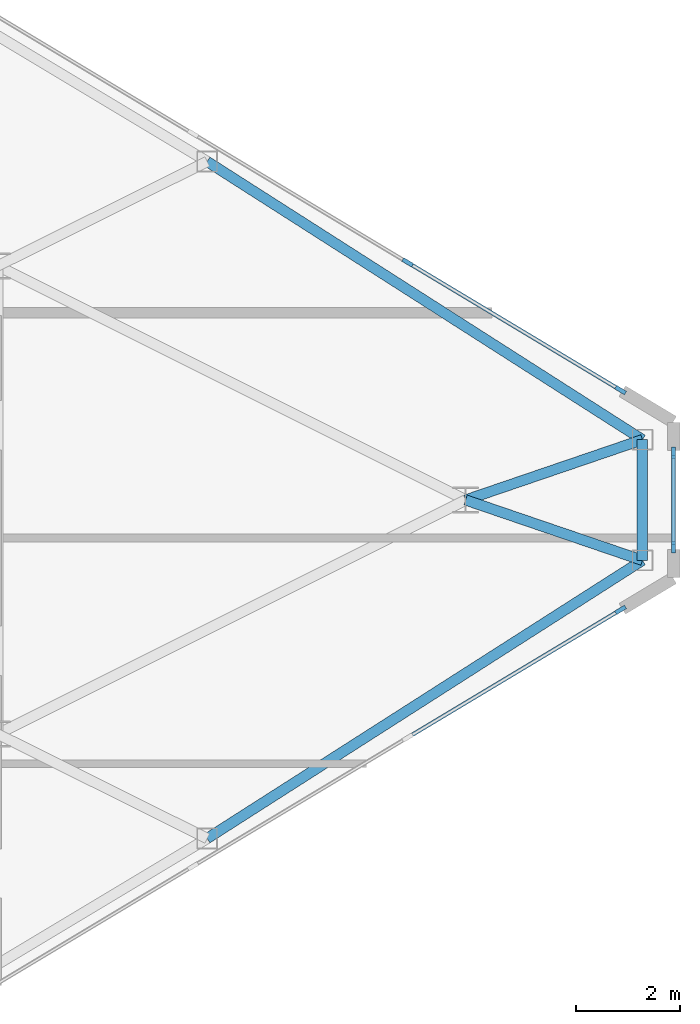
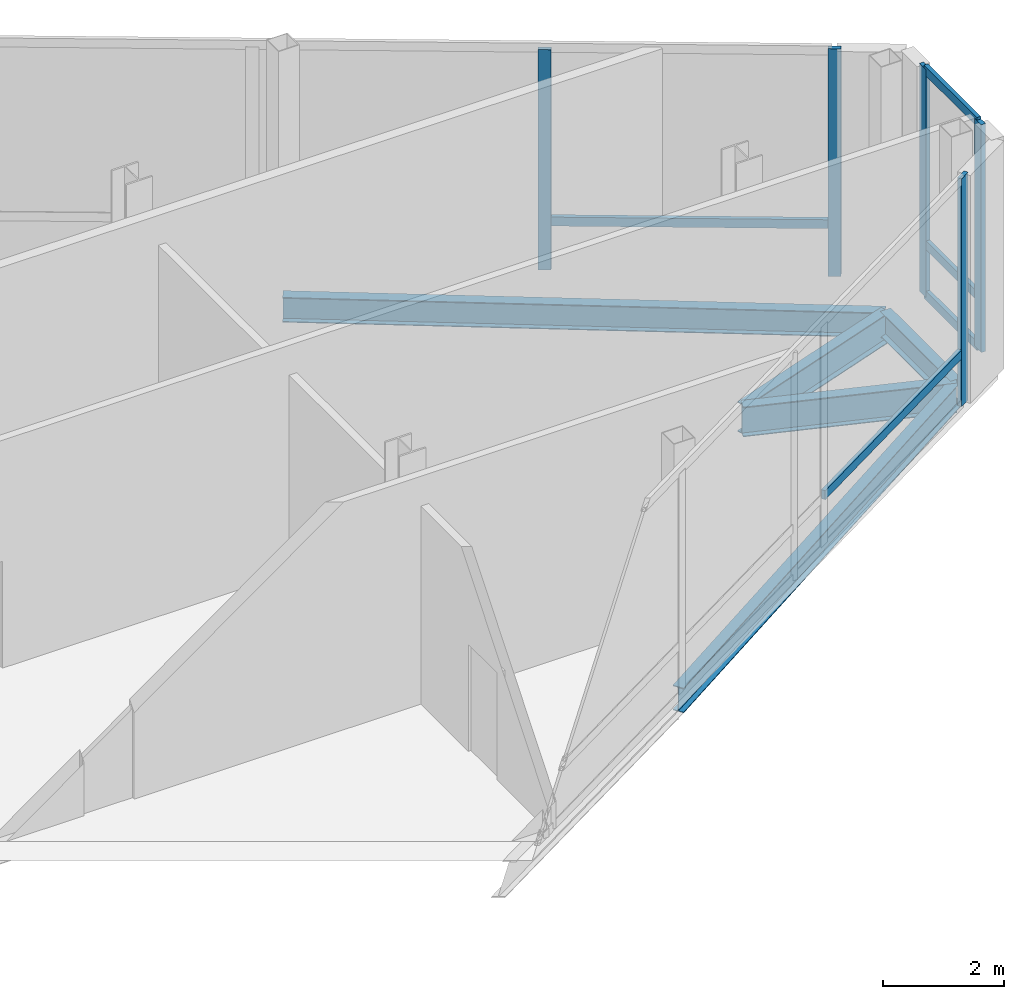
# One storey, part 18 of 30: 10 members, 5 beams, 3 elements without a shape of their own.
"""IFC4 building model written with IfcOpenShell, lengths in metres."""

from ifc_helpers import new_model, si_unit, direction, frame, origin, origin_2d, place, context, subcontext, project, spatial, rectangle, i_section, extrude, source, transform, mapped, material, layer, layer_set, material_profile, profile_set, type_object, type_shapes, element, aggregate, save


model = new_model("IFC4")

# Units and contexts
model_context = context("Model", 3, precision=1e-05, world=origin(), true_north=direction((0.0, 1.0)))
body_context = subcontext(model_context, "Body", "Model", "MODEL_VIEW")
ifc_project = project(units=[si_unit("LENGTHUNIT", "METRE"), si_unit("AREAUNIT", "SQUARE_METRE"), si_unit("VOLUMEUNIT", "CUBIC_METRE"), si_unit("PLANEANGLEUNIT", "RADIAN"), si_unit("MASSUNIT", "GRAM", prefix="KILO")], contexts=[model_context])

# Site, building, storey
site_placement = place(None, origin())
site = spatial("IfcSite", under=ifc_project, at=site_placement, CompositionType="ELEMENT")
building_placement = place(site_placement, origin())
building = spatial("IfcBuilding", under=site, at=building_placement, Name="Seokmaru Belvedere", CompositionType="ELEMENT")
storey_placement = place(building_placement, frame((0.0, 0.0, 234.60009765625)))
storey = spatial("IfcBuildingStorey", under=building, at=storey_placement, Name="L62", CompositionType="ELEMENT", Elevation=234.60009765625)

# Beams
ifc_material_1 = material(Name="Steel SM355 (355 MPa)", Category="steel")
ifc_material_profile_1 = material_profile(ifc_material_1, i_section(OverallWidth=0.199951171875, OverallDepth=0.5, WebThickness=0.010009765625, FlangeThickness=0.01611328125, at=origin_2d()), Name="H-500x200x10x16")
ifc_profile_set_1 = profile_set([ifc_material_profile_1], Name="Steel SM355 (355 MPa)")
beam_type_1 = type_object("IfcBeamType", Name="Perimeter Spandrel Beam H-500", PredefinedType="SPANDREL", material=ifc_profile_set_1)
shared_shape_1 = source(origin(), body_context, "Body", "SweptSolid", [
    extrude(i_section(OverallWidth=0.199951171875, OverallDepth=0.5, WebThickness=0.010009765625, FlangeThickness=0.01611328125, at=origin_2d()), origin(), (0.0, 0.0, 1.0), 9.932861328125),
])
for number, where, z_axis, x_axis, name in (
    (1, (58.530029296875, -6.5087890625, -0.510009765625), (0.842651960357, 0.538458609093, 0.0), (-0.538458609093, 0.842651960357, 0.0), "L62 E Faceted Flank Spandrel S-4"),
    (2, (58.530029296875, 6.5087890625, -0.510009765625), (0.842651960357, -0.538458609093, 0.0), (0.538458609093, 0.842651960357, 0.0), "L62 E Faceted Flank Spandrel N-4"),
):
    element("IfcBeam", number, at=place(storey_placement, frame(where, z_axis=z_axis, x_axis=x_axis)), inside=storey, type_object=beam_type_1, Name=name, PredefinedType="SPANDREL", context=body_context, shape_type="MappedRepresentation", body=[
        mapped(shared_shape_1, transform((0.0, 0.0, 0.0), scale=1.0)),
    ])
shared_shape_2 = source(origin(), body_context, "Body", "SweptSolid", [
    extrude(i_section(OverallWidth=0.199951171875, OverallDepth=0.5, WebThickness=0.010009765625, FlangeThickness=0.01611328125, at=origin_2d()), origin(), (0.0, 0.0, 1.0), 2.32080078125),
])
type_shapes(beam_type_1, [shared_shape_1, shared_shape_2])
beam_placement = place(storey_placement, frame((66.89990234375, -1.160400390625, -0.510009765625), z_axis=(0.0, 1.0, 0.0), x_axis=(-1.0, 0.0, 0.0)))
element("IfcBeam", 3, at=beam_placement, inside=storey, type_object=beam_type_1, Name="L62 E Faceted Apex Spandrel", PredefinedType="SPANDREL", context=body_context, shape_type="MappedRepresentation", body=[
    mapped(shared_shape_2, transform((0.0, 0.0, 0.0), scale=1.0)),
])
ifc_material_profile_2 = material_profile(ifc_material_1, i_section(OverallWidth=0.199951171875, OverallDepth=0.60009765625, WebThickness=0.010986328125, FlangeThickness=0.01708984375, at=origin_2d()), Name="H-600x200x11x17")
ifc_profile_set_2 = profile_set([ifc_material_profile_2], Name="Steel SM355 (355 MPa)")
beam_type_2 = type_object("IfcBeamType", Name="Primary Floor Girder H-600", PredefinedType="BEAM", material=ifc_profile_set_2)
shared_shape_3 = source(origin(), body_context, "Body", "SweptSolid", [
    extrude(i_section(OverallWidth=0.199951171875, OverallDepth=0.60009765625, WebThickness=0.010986328125, FlangeThickness=0.01708984375, at=origin_2d()), origin(), (0.0, 0.0, 1.0), 3.592529296875),
])
type_shapes(beam_type_2, [shared_shape_3])
for number, where, z_axis, x_axis, name in (
    (4, (66.89990234375, -1.160400390625, -0.56005859375), (-0.946395973048, 0.323008764893, 0.0), (-0.323008764893, -0.946395973048, 0.0), "L62 E Apex Radial Floor Girder 1"),
    (5, (66.89990234375, 1.160400390625, -0.56005859375), (-0.946395973048, -0.323008764893, 0.0), (0.323008764893, -0.946395973048, 0.0), "L62 E Apex Radial Floor Girder 2"),
):
    element("IfcBeam", number, at=place(storey_placement, frame(where, z_axis=z_axis, x_axis=x_axis)), inside=storey, type_object=beam_type_2, Name=name, PredefinedType="BEAM", context=body_context, shape_type="MappedRepresentation", body=[
        mapped(shared_shape_3, transform((0.0, 0.0, 0.0), scale=1.0)),
    ])

# Curtain wall, member
ifc_material_2 = material(Name="Bronze Triple Insulating Glass", Category="glass")
ifc_layer = layer(ifc_material_2, 0.219970703125)
ifc_layer_set = layer_set([ifc_layer], Name="Bronze Triple Insulating Glass")
curtain_wall_type = type_object("IfcCurtainWallType", Name="Sky-Gate Bridge Panorama Curtain Wall System CW-6", PredefinedType="NOTDEFINED", material=ifc_layer_set)
curtain_wall_1_placement = place(storey_placement, origin())
curtain_wall_1 = element("IfcCurtainWall", 6, at=curtain_wall_1_placement, inside=storey, type_object=curtain_wall_type, Name="L62 Curtain Wall EF1", PredefinedType="NOTDEFINED")
ifc_material_3 = material(Name="Anodised Bronze Aluminium", Category="aluminium")
ifc_material_profile_3 = material_profile(ifc_material_3, rectangle(XDim=0.074951171875, YDim=0.179931640625, at=origin_2d()), Name="CW-T-75x180")
ifc_profile_set_3 = profile_set([ifc_material_profile_3], Name="Anodised Bronze Aluminium")
member_type_1 = type_object("IfcMemberType", Name="Bronze Unitised Transom 75x180", PredefinedType="USERDEFINED", material=ifc_profile_set_3)
shared_shape_4 = source(origin(), body_context, "Body", "SweptSolid", [
    extrude(rectangle(XDim=0.074951171875, YDim=0.179931640625, at=origin_2d()), origin(), (0.0, 0.0, 1.0), 4.694580078125),
])
member_1_placement = place(storey_placement, frame((62.419677734375, -4.548095703125, 1.0498046875), z_axis=(0.85750210284, 0.514480459906, 0.0), x_axis=(-0.514480459906, 0.85750210284, 0.0)))
member_1 = element("IfcMember", 7, at=member_1_placement, type_object=member_type_1, Name="CW:L62:EF1 Spandrel Transom 8", ObjectType="TRANSOM", PredefinedType="USERDEFINED", context=body_context, shape_type="MappedRepresentation", body=[
    mapped(shared_shape_4, transform((0.0, 0.0, 0.0), scale=1.0)),
])

curtain_wall_2_placement = place(storey_placement, origin())
curtain_wall_2 = element("IfcCurtainWall", 8, at=curtain_wall_2_placement, inside=storey, type_object=curtain_wall_type, Name="L62 Curtain Wall EF3", PredefinedType="NOTDEFINED")
member_2_placement = place(storey_placement, frame((66.4453125, 2.1328125, 1.0498046875), z_axis=(-0.85750210284, 0.514480459906, 0.0), x_axis=(-0.514480459906, -0.85750210284, 0.0)))
member_2 = element("IfcMember", 9, at=member_2_placement, type_object=member_type_1, Name="CW:L62:EF3 Spandrel Transom 1", ObjectType="TRANSOM", PredefinedType="USERDEFINED", context=body_context, shape_type="MappedRepresentation", body=[
    mapped(shared_shape_4, transform((0.0, 0.0, 0.0), scale=1.0)),
])

# Curtain wall, members
curtain_wall_3_placement = place(storey_placement, origin())
curtain_wall_3 = element("IfcCurtainWall", 10, at=curtain_wall_3_placement, inside=storey, type_object=curtain_wall_type, Name="L62 Curtain Wall EF2", PredefinedType="NOTDEFINED")
shared_shape_5 = source(origin(), body_context, "Body", "SweptSolid", [
    extrude(rectangle(XDim=0.074951171875, YDim=0.179931640625, at=origin_2d()), origin(), (0.0, 0.0, 1.0), 1.740234375),
])
type_shapes(member_type_1, [shared_shape_4, shared_shape_5])
member_3_placement = place(storey_placement, frame((67.5, -0.8701171875, 0.037353515625), z_axis=(0.0, 1.0, 0.0), x_axis=(-1.0, 0.0, 0.0)))
member_3 = element("IfcMember", 11, at=member_3_placement, type_object=member_type_1, Name="CW:L62:EF2 Continuous Transom 1", ObjectType="TRANSOM", PredefinedType="USERDEFINED", context=body_context, shape_type="MappedRepresentation", body=[
    mapped(shared_shape_5, transform((0.0, 0.0, 0.0), scale=1.0)),
])
member_4_placement = place(storey_placement, frame((67.5, -0.8701171875, 4.54248046875), z_axis=(0.0, 1.0, 0.0), x_axis=(-1.0, 0.0, 0.0)))
member_4 = element("IfcMember", 12, at=member_4_placement, type_object=member_type_1, Name="CW:L62:EF2 Continuous Transom 2", ObjectType="TRANSOM", PredefinedType="USERDEFINED", context=body_context, shape_type="MappedRepresentation", body=[
    mapped(shared_shape_5, transform((0.0, 0.0, 0.0), scale=1.0)),
])
member_5_placement = place(storey_placement, frame((67.5, -0.8701171875, 1.0498046875), z_axis=(0.0, 1.0, 0.0), x_axis=(-1.0, 0.0, 0.0)))
member_5 = element("IfcMember", 13, at=member_5_placement, type_object=member_type_1, Name="CW:L62:EF2 Spandrel Transom 1", ObjectType="TRANSOM", PredefinedType="USERDEFINED", context=body_context, shape_type="MappedRepresentation", body=[
    mapped(shared_shape_5, transform((0.0, 0.0, 0.0), scale=1.0)),
])

# Member
ifc_material_profile_4 = material_profile(ifc_material_3, rectangle(XDim=0.080078125, YDim=0.219970703125, at=origin_2d()), Name="CW-M-80x220")
ifc_profile_set_4 = profile_set([ifc_material_profile_4], Name="Anodised Bronze Aluminium")
member_type_2 = type_object("IfcMemberType", Name="Bronze Unitised Mullion 80x220", PredefinedType="MULLION", material=ifc_profile_set_4)
shared_shape_6 = source(origin(), body_context, "Body", "SweptSolid", [
    extrude(rectangle(XDim=0.080078125, YDim=0.219970703125, at=origin_2d()), origin(), (0.0, 0.0, 1.0), 4.579833984375),
])
member_6_placement = place(storey_placement, frame((66.4794921875, -2.1123046875, 0.0), z_axis=(0.0, 0.0, 1.0), x_axis=(-0.514494909364, 0.85749343335, 0.0)))
member_6 = element("IfcMember", 14, at=member_6_placement, type_object=member_type_2, Name="CW:L62:EF1 Mullion 9", PredefinedType="MULLION", context=body_context, shape_type="MappedRepresentation", body=[
    mapped(shared_shape_6, transform((0.0, 0.0, 0.0), scale=1.0)),
])

aggregate(curtain_wall_1, [member_6, member_1])

member_7_placement = place(storey_placement, frame((67.5, -0.909912109375, 0.0), z_axis=(0.0, 0.0, 1.0), x_axis=(-1.0, 0.0, 0.0)))
member_7 = element("IfcMember", 15, at=member_7_placement, type_object=member_type_2, Name="CW:L62:EF2 Mullion 1", PredefinedType="MULLION", context=body_context, shape_type="MappedRepresentation", body=[
    mapped(shared_shape_6, transform((0.0, 0.0, 0.0), scale=1.0)),
])

member_8_placement = place(storey_placement, frame((67.5, 0.909912109375, 0.0), z_axis=(0.0, 0.0, 1.0), x_axis=(-1.0, 0.0, 0.0)))
member_8 = element("IfcMember", 16, at=member_8_placement, type_object=member_type_2, Name="CW:L62:EF2 Mullion 2", PredefinedType="MULLION", context=body_context, shape_type="MappedRepresentation", body=[
    mapped(shared_shape_6, transform((0.0, 0.0, 0.0), scale=1.0)),
])

aggregate(curtain_wall_3, [member_7, member_8, member_3, member_4, member_5])

member_9_placement = place(storey_placement, frame((66.4794921875, 2.1123046875, 0.0), z_axis=(0.0, 0.0, 1.0), x_axis=(-0.514494909364, -0.85749343335, 0.0)))
member_9 = element("IfcMember", 17, at=member_9_placement, type_object=member_type_2, Name="CW:L62:EF3 Mullion 1", PredefinedType="MULLION", context=body_context, shape_type="MappedRepresentation", body=[
    mapped(shared_shape_6, transform((0.0, 0.0, 0.0), scale=1.0)),
])

shared_shape_7 = source(origin(), body_context, "Body", "SweptSolid", [
    extrude(rectangle(XDim=0.080078125, YDim=0.219970703125, at=origin_2d()), origin(), (0.0, 0.0, 1.0), 4.429931640625),
])
type_shapes(member_type_2, [shared_shape_6, shared_shape_7])
member_10_placement = place(storey_placement, frame((62.385498046875, 4.56884765625, 0.074951171875), z_axis=(0.0, 0.0, 1.0), x_axis=(-0.514494909364, -0.85749343335, 0.0)))
member_10 = element("IfcMember", 18, at=member_10_placement, type_object=member_type_2, Name="CW:L62:EF3 Mullion 2", PredefinedType="MULLION", context=body_context, shape_type="MappedRepresentation", body=[
    mapped(shared_shape_7, transform((0.0, 0.0, 0.0), scale=1.0)),
])

aggregate(curtain_wall_2, [member_9, member_10, member_2])

save(model, "model.ifc")
